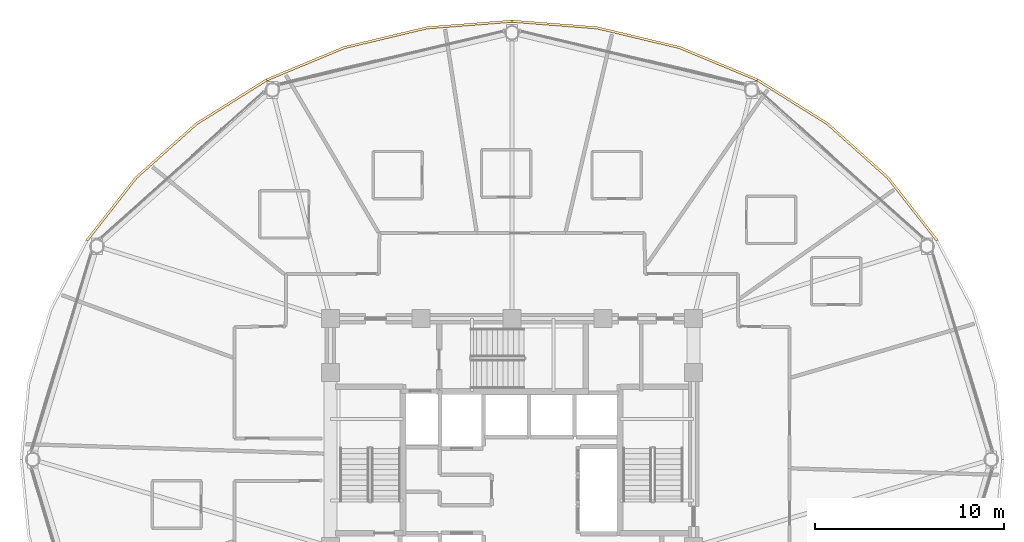
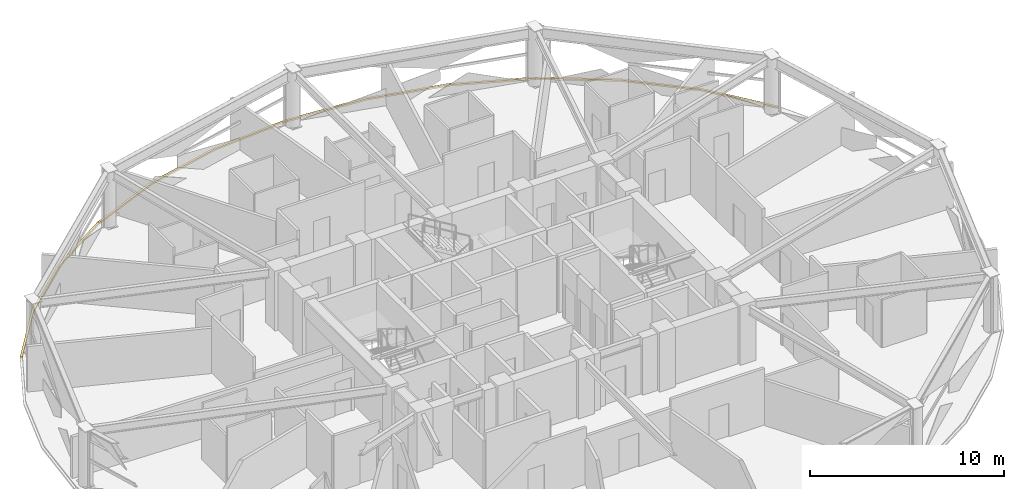
# One storey, part 31 of 31: 4 coverings.
"""IFC4 building model written with IfcOpenShell, lengths in metres."""

import ifcopenshell
import ifcopenshell.guid

model = None  # the IFC model being written
_history = None  # IfcOwnerHistory: only IFC2X3 demands one
_inside = {}  # id of a spatial element -> (the spatial element, [elements in it])
_under = {}  # id of a project, library or spatial element -> (it, [spatial elements below it])
_declared = {}  # id of a project -> (the project, [libraries it declares])
_typed = {}  # id of a type object -> (the type object, [elements of that type])
_made_of = {}  # id of a material, layer set ... -> (it, [elements and type objects made of it])


def new_model(schema):
    """Start an empty IFC model of exactly this schema.

    Asked for "IFC4X3", IfcOpenShell would pick the latest addendum, in which some entities
    have other attributes; the version numbers below select the first issue.
    IFC2X3 requires an IfcOwnerHistory on every rooted entity: one is made here for all.
    """
    global model, _history
    if schema == "IFC4X3":
        model = ifcopenshell.file(schema_version=(4, 3, 0, 0))
    else:
        model = ifcopenshell.file(schema=schema)
    _inside.clear()
    _under.clear()
    _declared.clear()
    _typed.clear()
    _made_of.clear()
    _history = None
    if model.schema == "IFC2X3":
        org = make("IfcOrganization", Name="unknown")
        user = make(
            "IfcPersonAndOrganization",
            ThePerson=make("IfcPerson", FamilyName="unknown"),
            TheOrganization=org,
        )
        app = make(
            "IfcApplication",
            ApplicationDeveloper=org,
            Version="unknown",
            ApplicationFullName="unknown",
            ApplicationIdentifier="unknown",
        )
        _history = make(
            "IfcOwnerHistory",
            OwningUser=user,
            OwningApplication=app,
            ChangeAction="ADDED",
            CreationDate=0,
        )
    return model


def make(cls, **values):
    """One entity of the class cls with the attributes given. An attribute that is None is left unset."""
    return model.create_entity(
        cls, **{name: value for name, value in values.items() if value is not None}
    )


def rooted(cls, **values):
    """An entity with a GlobalId (a new one), such as an element, a storey or a relation."""
    return make(cls, GlobalId=ifcopenshell.guid.new(), OwnerHistory=_history, **values)


def si_unit(unit_type, name, prefix=None):
    """IfcSIUnit, for example si_unit("LENGTHUNIT", "METRE", prefix="MILLI")."""
    return make("IfcSIUnit", UnitType=unit_type, Prefix=prefix, Name=name)


def assignment(units):
    """IfcUnitAssignment: the units of a project."""
    return None if units is None else make("IfcUnitAssignment", Units=units)


def point(xyz):
    """IfcCartesianPoint."""
    return None if xyz is None else make("IfcCartesianPoint", Coordinates=xyz)


def direction(xyz):
    """IfcDirection."""
    return None if xyz is None else make("IfcDirection", DirectionRatios=xyz)


def frame(location, z_axis=None, x_axis=None):
    """IfcAxis2Placement3D, a coordinate frame: its origin and axes. An axis left out is left unset."""
    return make(
        "IfcAxis2Placement3D",
        Location=point(location),
        Axis=direction(z_axis),
        RefDirection=direction(x_axis),
    )


def origin():
    """The frame at (0, 0, 0) with its axes left unset."""
    return frame((0.0, 0.0, 0.0))


def place(relative_to, where):
    """IfcLocalPlacement: puts the frame where relative to a parent placement (None: the world)."""
    return make(
        "IfcLocalPlacement", PlacementRelTo=relative_to, RelativePlacement=where
    )


def context(
    kind, dimensions, precision=None, world=None, true_north=None, identifier=None
):
    """IfcGeometricRepresentationContext, for example the 3D "Model" context."""
    return make(
        "IfcGeometricRepresentationContext",
        ContextIdentifier=identifier,
        ContextType=kind,
        CoordinateSpaceDimension=dimensions,
        Precision=precision,
        WorldCoordinateSystem=world,
        TrueNorth=true_north,
    )


def subcontext(parent, identifier, kind, view, scale=None):
    """IfcGeometricRepresentationSubContext, for example "Body" below "Model"."""
    return make(
        "IfcGeometricRepresentationSubContext",
        ContextIdentifier=identifier,
        ContextType=kind,
        ParentContext=parent,
        TargetScale=scale,
        TargetView=view,
    )


def project(units=None, contexts=None):
    """IfcProject with its units and contexts."""
    return rooted(
        "IfcProject",
        Name="project",
        RepresentationContexts=contexts,
        UnitsInContext=assignment(units),
    )


def spatial(cls, under=None, at=None, **own):
    """A site, building, storey or space (cls), placed at a placement, below another one or the project."""
    s = rooted(cls, ObjectPlacement=at, **own)
    if under is not None:
        _under.setdefault(under.id(), (under, []))[1].append(s)
    return s


def polyline(points):
    """IfcPolyline through the points."""
    return make("IfcPolyline", Points=[point(p) for p in points])


def outline(outer, holes=None, kind="AREA"):
    """IfcArbitraryClosedProfileDef: a profile drawn as a closed curve; with holes, ...WithVoids."""
    if holes is None:
        return make("IfcArbitraryClosedProfileDef", ProfileType=kind, OuterCurve=outer)
    return make(
        "IfcArbitraryProfileDefWithVoids",
        ProfileType=kind,
        OuterCurve=outer,
        InnerCurves=holes,
    )


def extrude(swept, where, along, depth):
    """IfcExtrudedAreaSolid: the profile swept, set in the frame where, extruded along a direction by depth."""
    return make(
        "IfcExtrudedAreaSolid",
        SweptArea=swept,
        Position=where,
        ExtrudedDirection=direction(along),
        Depth=depth,
    )


def shape(context_of_items, identifier, shape_type, items):
    """IfcShapeRepresentation: the items that make up one representation, for example the "Body"."""
    return make(
        "IfcShapeRepresentation",
        ContextOfItems=context_of_items,
        RepresentationIdentifier=identifier,
        RepresentationType=shape_type,
        Items=items,
    )


def material(Name=None, Category=None):
    """IfcMaterial."""
    return make("IfcMaterial", Name=Name, Category=Category)


def layer(
    of_material, thickness, ventilated=None, Name=None, Category=None, Priority=None
):
    """IfcMaterialLayer: one layer of a wall or slab, of a material (None: an air gap)."""
    return make(
        "IfcMaterialLayer",
        Material=of_material,
        LayerThickness=thickness,
        IsVentilated=ventilated,
        Name=Name,
        Category=Category,
        Priority=Priority,
    )


def layer_set(layers, Name=None):
    """IfcMaterialLayerSet."""
    return make("IfcMaterialLayerSet", MaterialLayers=layers, LayerSetName=Name)


def made_of(thing, what):
    """Note that an element or type object is made of a material, layer set ...; save() writes the relation."""
    if what is not None:
        _made_of.setdefault(what.id(), (what, []))[1].append(thing)
    return thing


def type_object(cls, material=None, **own):
    """A type object (cls), such as IfcWallType, which elements share."""
    return made_of(rooted(cls, **own), material)


def element(
    cls,
    number,
    at=None,
    inside=None,
    cuts=None,
    type_object=None,
    material=None,
    context=None,
    identifier="Body",
    shape_type=None,
    held_by="IfcProductDefinitionShape",
    body=None,
    shapes=None,
    **own,
):
    """One element of the class cls, such as IfcWall. Its Tag is "e" and its number.

    at: its placement. inside: the storey or other place that contains it. cuts: it is an
    opening in that element (IfcRelVoidsElement). A single representation is given by context,
    identifier, shape_type and body (its items); several are given by shapes. held_by: the class
    of the entity that holds the representations. save() writes the other relations.
    """
    e = rooted(cls, Tag="e%d" % number, ObjectPlacement=at, **own)
    if body is not None:
        shapes = [shape(context, identifier, shape_type, body)]
    if shapes is not None:
        e.Representation = make(held_by, Representations=shapes)
    if inside is not None:
        _inside.setdefault(inside.id(), (inside, []))[1].append(e)
    if cuts is not None:
        rooted(
            "IfcRelVoidsElement", RelatingBuildingElement=cuts, RelatedOpeningElement=e
        )
    if type_object is not None:
        _typed.setdefault(type_object.id(), (type_object, []))[1].append(e)
    return made_of(e, material)


def aggregate(whole, parts):
    """IfcRelAggregates: a whole, such as a stair, and the parts it consists of."""
    return rooted("IfcRelAggregates", RelatingObject=whole, RelatedObjects=parts)


def save(model, path):
    """Write the relations noted so far, then the file.

    IfcRelAggregates (storeys below a building ...), IfcRelContainedInSpatialStructure (elements
    in a storey), IfcRelDefinesByType, IfcRelAssociatesMaterial and IfcRelDeclares: one each for
    every whole, place, type object, material and project.
    """
    for whole, parts in _under.values():
        aggregate(whole, parts)
    for where, things in _inside.values():
        rooted(
            "IfcRelContainedInSpatialStructure",
            RelatedElements=things,
            RelatingStructure=where,
        )
    for kind, things in _typed.values():
        rooted("IfcRelDefinesByType", RelatedObjects=things, RelatingType=kind)
    for what, things in _made_of.values():
        rooted("IfcRelAssociatesMaterial", RelatedObjects=things, RelatingMaterial=what)
    for by, libraries in _declared.values():
        rooted("IfcRelDeclares", RelatingContext=by, RelatedDefinitions=libraries)
    model.write(path)


model = new_model("IFC4")

# Units and contexts
model_context = context("Model", 3, precision=1e-05, world=origin(), true_north=direction((0.0, 1.0)))
body_context = subcontext(model_context, "Body", "Model", "MODEL_VIEW")
ifc_project = project(units=[si_unit("LENGTHUNIT", "METRE"), si_unit("AREAUNIT", "SQUARE_METRE"), si_unit("VOLUMEUNIT", "CUBIC_METRE"), si_unit("PLANEANGLEUNIT", "RADIAN"), si_unit("MASSUNIT", "GRAM", prefix="KILO")], contexts=[model_context])

# Site, building, storey
site_placement = place(None, origin())
site = spatial("IfcSite", under=ifc_project, at=site_placement, CompositionType="ELEMENT")
building_placement = place(site_placement, origin())
building = spatial("IfcBuilding", under=site, at=building_placement, Name="Vantalir Tower", CompositionType="ELEMENT")
storey_placement = place(building_placement, frame((0.0, 0.0, 115.949951171875)))
storey = spatial("IfcBuildingStorey", under=building, at=storey_placement, Name="L28", CompositionType="ELEMENT", Elevation=115.949951171875)

# Coverings
ifc_material = material(Name="Anodised champagne aluminium sill fascia", Category="aluminium")
ifc_layer = layer(ifc_material, 0.125)
ifc_layer_set = layer_set([ifc_layer], Name="Anodised champagne aluminium sill fascia")
covering_type = type_object("IfcCoveringType", Name="COV-SLAB-FASCIA-125", PredefinedType="CLADDING", material=ifc_layer_set)
covering_1_placement = place(storey_placement, frame((0.0, 0.0, -0.179931640625)))
element("IfcCovering", 1, at=covering_1_placement, inside=storey, type_object=covering_type, Name="L28 Perimeter Slab-Edge Sill Fascia 02", PredefinedType="CLADDING", context=body_context, shape_type="SweptSolid", body=[
    extrude(outline(polyline([(54.030029296875, 36.6201171875), (51.428955078125, 39.93896484375), (48.221923828125, 42.803955078125), (44.508056640625, 45.126953125), (44.445068359375, 45.01904296875), (48.14208984375, 42.7080078125), (51.3330078125, 39.85888671875), (53.9208984375, 36.55810546875), (54.030029296875, 36.6201171875)])), origin(), (0.0, 0.0, 1.0), 0.10498046875),
])
covering_2_placement = place(storey_placement, frame((0.0, 0.0, -0.179931640625)))
element("IfcCovering", 2, at=covering_2_placement, inside=storey, type_object=covering_type, Name="L28 Perimeter Slab-Edge Sill Fascia 03", PredefinedType="CLADDING", context=body_context, shape_type="SweptSolid", body=[
    extrude(outline(polyline([(44.508056640625, 45.126953125), (40.39794921875, 46.839111328125), (36.01708984375, 47.887939453125), (31.5, 48.240966796875), (31.5, 48.115966796875), (35.99609375, 47.764892578125), (40.35498046875, 46.721923828125), (44.445068359375, 45.01904296875), (44.508056640625, 45.126953125)])), origin(), (0.0, 0.0, 1.0), 0.10498046875),
])
covering_3_placement = place(storey_placement, frame((0.0, 0.0, -0.179931640625)))
element("IfcCovering", 3, at=covering_3_placement, inside=storey, type_object=covering_type, Name="L28 Perimeter Slab-Edge Sill Fascia 04", PredefinedType="CLADDING", context=body_context, shape_type="SweptSolid", body=[
    extrude(outline(polyline([(31.5, 48.240966796875), (26.98291015625, 47.887939453125), (22.60205078125, 46.839111328125), (18.492919921875, 45.126953125), (18.554931640625, 45.01904296875), (22.64501953125, 46.721923828125), (27.00390625, 47.764892578125), (31.5, 48.115966796875), (31.5, 48.240966796875)])), origin(), (0.0, 0.0, 1.0), 0.10498046875),
])
covering_4_placement = place(storey_placement, frame((0.0, 0.0, -0.179931640625)))
element("IfcCovering", 4, at=covering_4_placement, inside=storey, type_object=covering_type, Name="L28 Perimeter Slab-Edge Sill Fascia 05", PredefinedType="CLADDING", context=body_context, shape_type="SweptSolid", body=[
    extrude(outline(polyline([(18.492919921875, 45.126953125), (14.778076171875, 42.803955078125), (11.571044921875, 39.93896484375), (8.969970703125, 36.6201171875), (9.0791015625, 36.55810546875), (11.6669921875, 39.85888671875), (14.85791015625, 42.7080078125), (18.554931640625, 45.01904296875), (18.492919921875, 45.126953125)])), origin(), (0.0, 0.0, 1.0), 0.10498046875),
])

save(model, "model.ifc")
